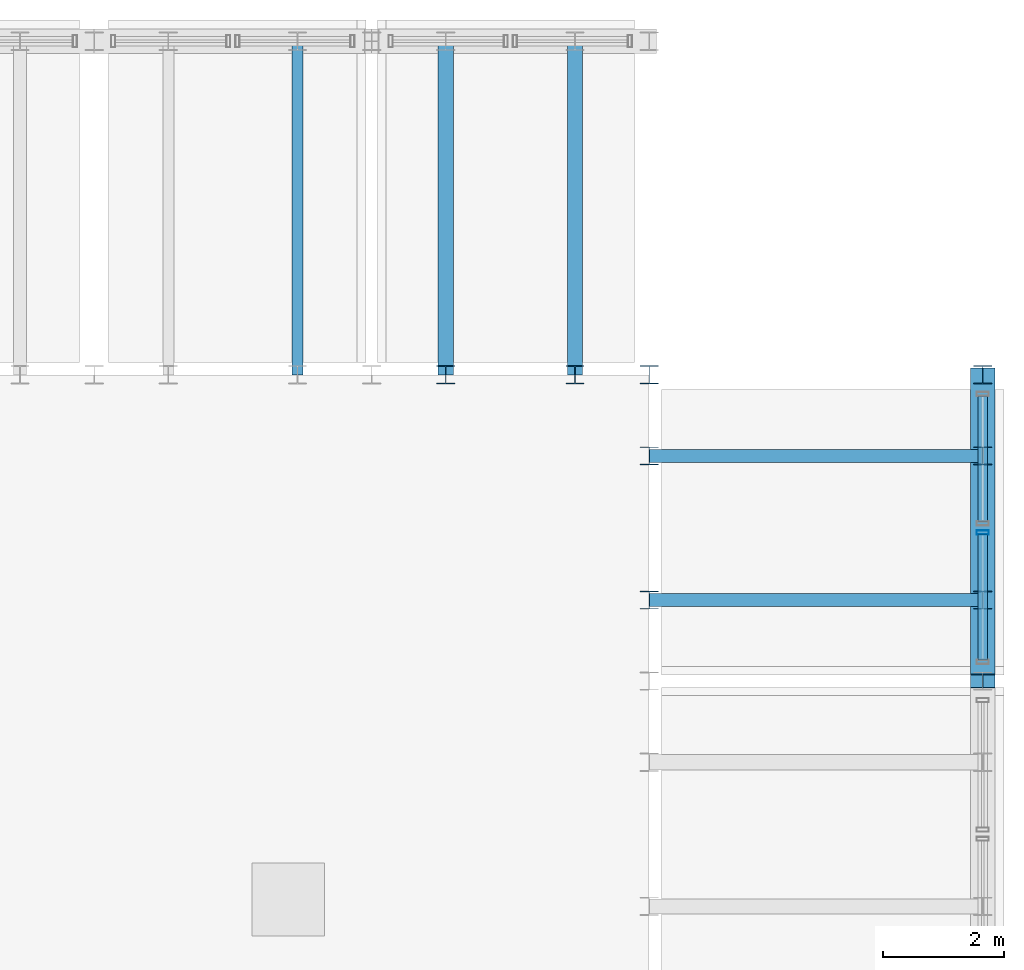
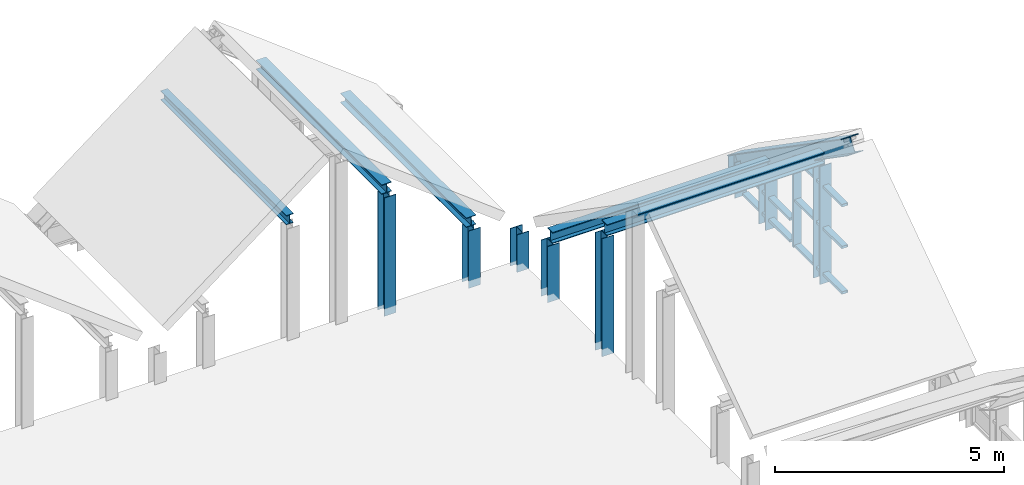
# One storey, part 10 of 21: 20 members, 2 elements without a shape of their own.
"""IFC4 building model written with IfcOpenShell, lengths in metres."""

from ifc_helpers import new_model, si_unit, direction, frame, origin, origin_2d, place, context, subcontext, project, spatial, hollow_rectangle, i_section, extrude, source, transform, mapped, material, layer, layer_set, material_profile, profile_set, type_object, element, aggregate, save


model = new_model("IFC4")

# Units and contexts
model_context = context("Model", 3, precision=1e-05, world=origin(), true_north=direction((0.0, 1.0)))
body_context = subcontext(model_context, "Body", "Model", "MODEL_VIEW")
ifc_project = project(units=[si_unit("LENGTHUNIT", "METRE"), si_unit("AREAUNIT", "SQUARE_METRE"), si_unit("VOLUMEUNIT", "CUBIC_METRE"), si_unit("PLANEANGLEUNIT", "RADIAN"), si_unit("MASSUNIT", "GRAM", prefix="KILO")], contexts=[model_context])

# Site, building, storey
site_placement = place(None, origin())
site = spatial("IfcSite", under=ifc_project, at=site_placement, CompositionType="ELEMENT")
building_placement = place(site_placement, origin())
building = spatial("IfcBuilding", under=site, at=building_placement, Name="Saelheon Loggia Tower", CompositionType="ELEMENT")
storey_placement = place(building_placement, frame((0.0, 0.0, 275.0)))
storey = spatial("IfcBuildingStorey", under=building, at=storey_placement, Name="ROOF", CompositionType="ELEMENT", Elevation=275.0)

# Members
ifc_material_1 = material(Name="Steel SM355", Category="steel")
ifc_material_profile_1 = material_profile(ifc_material_1, i_section(OverallWidth=0.300048828125, OverallDepth=0.300048828125, WebThickness=0.010009765625, FlangeThickness=0.014892578125, at=origin_2d()), Name="H-300x300x10x15")
ifc_profile_set_1 = profile_set([ifc_material_profile_1], Name="Steel SM355")
member_type_1 = type_object("IfcMemberType", Name="WaveCrest_Post_H300", PredefinedType="POST", material=ifc_profile_set_1)
shared_shape_1 = source(origin(), body_context, "Body", "SweptSolid", [
    extrude(i_section(OverallWidth=0.300048828125, OverallDepth=0.300048828125, WebThickness=0.010009765625, FlangeThickness=0.014892578125, at=origin_2d()), origin(), (0.0, 0.0, 1.0), 0.949951171875),
])
member_1_placement = place(storey_placement, frame((52.64990234375, 42.14990234375, -0.14990234375), z_axis=(0.0, 0.0, 1.0), x_axis=(1.0, 0.0, 0.0)))
element("IfcMember", 1, at=member_1_placement, inside=storey, type_object=member_type_1, Name="ROOF Wave Crest Outer Post E 06", PredefinedType="POST", context=body_context, shape_type="MappedRepresentation", body=[
    mapped(shared_shape_1, transform((0.0, 0.0, 0.0), scale=1.0)),
])
ifc_material_profile_2 = material_profile(ifc_material_1, i_section(OverallWidth=0.300048828125, OverallDepth=0.300048828125, WebThickness=0.010009765625, FlangeThickness=0.014892578125, at=origin_2d()), Name="H-300x300x10x15")
ifc_profile_set_2 = profile_set([ifc_material_profile_2], Name="Steel SM355")
member_type_2 = type_object("IfcMemberType", Name="Belt_Post_H300", PredefinedType="POST", material=ifc_profile_set_2)
shared_shape_2 = source(origin(), body_context, "Body", "SweptSolid", [
    extrude(i_section(OverallWidth=0.300048828125, OverallDepth=0.300048828125, WebThickness=0.010009765625, FlangeThickness=0.014892578125, at=origin_2d()), origin(), (0.0, 0.0, 1.0), 1.0),
])
member_2_placement = place(storey_placement, frame((47.14990234375, 42.14990234375, -0.199951171875), z_axis=(0.0, 0.0, 1.0), x_axis=(1.0, 0.0, 0.0)))
element("IfcMember", 2, at=member_2_placement, inside=storey, type_object=member_type_2, Name="ROOF Wave Crest Inner Post E 06", PredefinedType="POST", context=body_context, shape_type="MappedRepresentation", body=[
    mapped(shared_shape_2, transform((0.0, 0.0, 0.0), scale=1.0)),
])
ifc_material_profile_3 = material_profile(ifc_material_1, i_section(OverallWidth=0.179931640625, OverallDepth=0.25, WebThickness=0.010009765625, FlangeThickness=0.01611328125, at=origin_2d()), Name="H-250x180x10x16")
ifc_profile_set_3 = profile_set([ifc_material_profile_3], Name="Steel SM355")
member_type_3 = type_object("IfcMemberType", Name="Roof_Purlin_RHS250", PredefinedType="PURLIN", material=ifc_profile_set_3)
shared_shape_3 = source(origin(), body_context, "Body", "SweptSolid", [
    extrude(i_section(OverallWidth=0.179931640625, OverallDepth=0.25, WebThickness=0.010009765625, FlangeThickness=0.01611328125, at=origin_2d()), origin(), (0.0, 0.0, 1.0), 5.5),
])
member_3_placement = place(storey_placement, frame((41.352294921875, 47.64990234375, 3.110595703125), z_axis=(0.0, -1.0, 0.0), x_axis=(1.0, 0.0, 0.0)))
element("IfcMember", 3, at=member_3_placement, inside=storey, type_object=member_type_3, Name="Crown Wave Roof Purlin 19 B", PredefinedType="PURLIN", context=body_context, shape_type="MappedRepresentation", body=[
    mapped(shared_shape_3, transform((0.0, 0.0, 0.0), scale=1.0)),
])
ifc_material_profile_4 = material_profile(ifc_material_1, i_section(OverallWidth=0.25, OverallDepth=0.25, WebThickness=0.009033203125, FlangeThickness=0.013916015625, at=origin_2d()), Name="H-250x250x9x14")
ifc_profile_set_4 = profile_set([ifc_material_profile_4], Name="Steel SM355")
member_type_4 = type_object("IfcMemberType", Name="Roof_Purlin_H250", PredefinedType="PURLIN", material=ifc_profile_set_4)
shared_shape_4 = source(origin(), body_context, "Body", "SweptSolid", [
    extrude(i_section(OverallWidth=0.25, OverallDepth=0.25, WebThickness=0.009033203125, FlangeThickness=0.013916015625, at=origin_2d()), origin(), (0.0, 0.0, 1.0), 5.5),
])
for number, where, z_axis, x_axis, name in (
    (4, (43.7978515625, 47.64990234375, 3.083740234375), (0.0, -1.0, 0.0), (1.0, 0.0, 0.0), "Crown Wave Roof Purlin 20 A"),
    (5, (45.92724609375, 47.64990234375, 1.45458984375), (0.0, -1.0, 0.0), (1.0, 0.0, 0.0), "Crown Wave Roof Purlin 20 B"),
):
    element("IfcMember", number, at=place(storey_placement, frame(where, z_axis=z_axis, x_axis=x_axis)), inside=storey, type_object=member_type_4, Name=name, PredefinedType="PURLIN", context=body_context, shape_type="MappedRepresentation", body=[
        mapped(shared_shape_4, transform((0.0, 0.0, 0.0), scale=1.0)),
    ])
ifc_material_profile_5 = material_profile(ifc_material_1, i_section(OverallWidth=0.219970703125, OverallDepth=0.300048828125, WebThickness=0.011962890625, FlangeThickness=0.02001953125, at=origin_2d()), Name="H-300x220x12x20")
ifc_profile_set_5 = profile_set([ifc_material_profile_5], Name="Steel SM355")
member_type_5 = type_object("IfcMemberType", Name="Roof_Purlin_RHS300", PredefinedType="PURLIN", material=ifc_profile_set_5)
shared_shape_5 = source(origin(), body_context, "Body", "SweptSolid", [
    extrude(i_section(OverallWidth=0.219970703125, OverallDepth=0.300048828125, WebThickness=0.011962890625, FlangeThickness=0.02001953125, at=origin_2d()), origin(), (0.0, 0.0, 1.0), 5.5),
])
for number, where, z_axis, x_axis, name in (
    (6, (52.64990234375, 38.436767578125, 3.097412109375), (-1.0, 0.0, 0.0), (0.0, -1.0, 0.0), "Crown Wave Roof Purlin 12 A"),
    (7, (52.64990234375, 40.813232421875, 1.4501953125), (-1.0, 0.0, 0.0), (0.0, -1.0, 0.0), "Crown Wave Roof Purlin 12 B"),
):
    element("IfcMember", number, at=place(storey_placement, frame(where, z_axis=z_axis, x_axis=x_axis)), inside=storey, type_object=member_type_5, Name=name, PredefinedType="PURLIN", context=body_context, shape_type="MappedRepresentation", body=[
        mapped(shared_shape_5, transform((0.0, 0.0, 0.0), scale=1.0)),
    ])
shared_shape_6 = source(origin(), body_context, "Body", "SweptSolid", [
    extrude(i_section(OverallWidth=0.300048828125, OverallDepth=0.300048828125, WebThickness=0.010009765625, FlangeThickness=0.014892578125, at=origin_2d()), origin(), (0.0, 0.0, 1.0), 1.500244140625),
])
for number, where, z_axis, x_axis, name in (
    (8, (52.64990234375, 40.813232421875, -0.199951171875), (0.0, 0.0, 1.0), (1.0, 0.0, 0.0), "Crown Wave Roof Purlin Support Post 12 B O"),
    (9, (47.14990234375, 40.813232421875, -0.199951171875), (0.0, 0.0, 1.0), (1.0, 0.0, 0.0), "Crown Wave Roof Purlin Support Post 12 B I"),
):
    element("IfcMember", number, at=place(storey_placement, frame(where, z_axis=z_axis, x_axis=x_axis)), inside=storey, type_object=member_type_2, Name=name, PredefinedType="POST", context=body_context, shape_type="MappedRepresentation", body=[
        mapped(shared_shape_6, transform((0.0, 0.0, 0.0), scale=1.0)),
    ])
shared_shape_7 = source(origin(), body_context, "Body", "SweptSolid", [
    extrude(i_section(OverallWidth=0.300048828125, OverallDepth=0.300048828125, WebThickness=0.010009765625, FlangeThickness=0.014892578125, at=origin_2d()), origin(), (0.0, 0.0, 1.0), 3.147216796875),
])
for number, where, z_axis, x_axis, name in (
    (10, (52.64990234375, 38.436767578125, -0.199951171875), (0.0, 0.0, 1.0), (1.0, 0.0, 0.0), "Crown Wave Roof Purlin Support Post 12 A O"),
    (11, (47.14990234375, 38.436767578125, -0.199951171875), (0.0, 0.0, 1.0), (1.0, 0.0, 0.0), "Crown Wave Roof Purlin Support Post 12 A I"),
):
    element("IfcMember", number, at=place(storey_placement, frame(where, z_axis=z_axis, x_axis=x_axis)), inside=storey, type_object=member_type_2, Name=name, PredefinedType="POST", context=body_context, shape_type="MappedRepresentation", body=[
        mapped(shared_shape_7, transform((0.0, 0.0, 0.0), scale=1.0)),
    ])
shared_shape_8 = source(origin(), body_context, "Body", "SweptSolid", [
    extrude(i_section(OverallWidth=0.300048828125, OverallDepth=0.300048828125, WebThickness=0.010009765625, FlangeThickness=0.014892578125, at=origin_2d()), origin(), (0.0, 0.0, 1.0), 3.15869140625),
])
member_4_placement = place(storey_placement, frame((43.7978515625, 42.14990234375, -0.199951171875), z_axis=(0.0, 0.0, 1.0), x_axis=(1.0, 0.0, 0.0)))
element("IfcMember", 12, at=member_4_placement, inside=storey, type_object=member_type_2, Name="Crown Wave Roof Purlin Support Post 20 A I", PredefinedType="POST", context=body_context, shape_type="MappedRepresentation", body=[
    mapped(shared_shape_8, transform((0.0, 0.0, 0.0), scale=1.0)),
])
shared_shape_9 = source(origin(), body_context, "Body", "SweptSolid", [
    extrude(i_section(OverallWidth=0.300048828125, OverallDepth=0.300048828125, WebThickness=0.010009765625, FlangeThickness=0.014892578125, at=origin_2d()), origin(), (0.0, 0.0, 1.0), 1.529541015625),
])
member_5_placement = place(storey_placement, frame((45.92724609375, 42.14990234375, -0.199951171875), z_axis=(0.0, 0.0, 1.0), x_axis=(1.0, 0.0, 0.0)))
element("IfcMember", 13, at=member_5_placement, inside=storey, type_object=member_type_2, Name="Crown Wave Roof Purlin Support Post 20 B I", PredefinedType="POST", context=body_context, shape_type="MappedRepresentation", body=[
    mapped(shared_shape_9, transform((0.0, 0.0, 0.0), scale=1.0)),
])
ifc_material_profile_6 = material_profile(ifc_material_1, i_section(OverallWidth=0.39990234375, OverallDepth=0.39990234375, WebThickness=0.012939453125, FlangeThickness=0.02099609375, at=origin_2d()), Name="H-400x400x13x21")
ifc_profile_set_6 = profile_set([ifc_material_profile_6], Name="Steel SM355")
member_type_6 = type_object("IfcMemberType", Name="CrownFrame_Brace_H400", PredefinedType="BRACE", material=ifc_profile_set_6)
shared_shape_10 = source(origin(), body_context, "Body", "SweptSolid", [
    extrude(i_section(OverallWidth=0.39990234375, OverallDepth=0.39990234375, WebThickness=0.012939453125, FlangeThickness=0.02099609375, at=origin_2d()), origin(), (0.0, 0.0, 1.0), 6.14404296875),
])
member_6_placement = place(storey_placement, frame((52.64990234375, 37.10009765625, 4.199951171875), z_axis=(0.0, 0.821888813717, -0.569647942054), x_axis=(-1.0, 0.0, 0.0)))
element("IfcMember", 14, at=member_6_placement, inside=storey, type_object=member_type_6, Name="ROOF CROWN FRAME Wave Crest Cap E 06", PredefinedType="BRACE", context=body_context, shape_type="MappedRepresentation", body=[
    mapped(shared_shape_10, transform((0.0, 0.0, 0.0), scale=1.0)),
])

# Curtain wall, members
ifc_material_2 = material(Name="Bronze-Anodised Aluminium and Fritted Ceramic Screen", Category="aluminium")
ifc_layer = layer(ifc_material_2, 0.219970703125)
ifc_layer_set = layer_set([ifc_layer], Name="Bronze-Anodised Aluminium and Fritted Ceramic Screen")
curtain_wall_type = type_object("IfcCurtainWallType", Name="CW_CrownScreen", PredefinedType="NOTDEFINED", material=ifc_layer_set)
curtain_wall_1_placement = place(storey_placement, origin())
curtain_wall_1 = element("IfcCurtainWall", 15, at=curtain_wall_1_placement, inside=storey, type_object=curtain_wall_type, Name="ROOF Wave Crest Curtain Wall E 06-1", PredefinedType="NOTDEFINED")
ifc_material_3 = material(Name="Bronze-Anodised Aluminium 6063-T6", Category="aluminium")
ifc_material_profile_7 = material_profile(ifc_material_3, hollow_rectangle(XDim=0.070068359375, YDim=0.14990234375, WallThickness=0.0048828125, at=origin_2d()), Name="RHS-150x70x5")
ifc_profile_set_7 = profile_set([ifc_material_profile_7], Name="Bronze-Anodised Aluminium 6063-T6")
member_type_7 = type_object("IfcMemberType", Name="CW_CrownScreen_Transom", PredefinedType="USERDEFINED", material=ifc_profile_set_7)
shared_shape_11 = source(origin(), body_context, "Body", "SweptSolid", [
    extrude(hollow_rectangle(XDim=0.070068359375, YDim=0.14990234375, WallThickness=0.0048828125, at=origin_2d()), origin(), (0.0, 0.0, 1.0), 2.06494140625),
])
member_7_placement = place(storey_placement, frame((52.64990234375, 37.449951171875, 0.054931640625), z_axis=(0.0, 1.0, 0.0), x_axis=(0.0, 0.0, 1.0)))
member_7 = element("IfcMember", 16, at=member_7_placement, type_object=member_type_7, Name="CW6 transom 1.1", ObjectType="TRANSOM", PredefinedType="USERDEFINED", context=body_context, shape_type="MappedRepresentation", body=[
    mapped(shared_shape_11, transform((0.0, 0.0, 0.0), scale=1.0)),
])
member_8_placement = place(storey_placement, frame((52.64990234375, 37.449951171875, 1.27001953125), z_axis=(0.0, 1.0, 0.0), x_axis=(0.0, 0.0, 1.0)))
member_8 = element("IfcMember", 17, at=member_8_placement, type_object=member_type_7, Name="CW6 transom 1.2", ObjectType="TRANSOM", PredefinedType="USERDEFINED", context=body_context, shape_type="MappedRepresentation", body=[
    mapped(shared_shape_11, transform((0.0, 0.0, 0.0), scale=1.0)),
])
member_9_placement = place(storey_placement, frame((52.64990234375, 37.449951171875, 2.385009765625), z_axis=(0.0, 1.0, 0.0), x_axis=(0.0, 0.0, 1.0)))
member_9 = element("IfcMember", 18, at=member_9_placement, type_object=member_type_7, Name="CW6 transom 1.3", ObjectType="TRANSOM", PredefinedType="USERDEFINED", context=body_context, shape_type="MappedRepresentation", body=[
    mapped(shared_shape_11, transform((0.0, 0.0, 0.0), scale=1.0)),
])

curtain_wall_2_placement = place(storey_placement, origin())
curtain_wall_2 = element("IfcCurtainWall", 19, at=curtain_wall_2_placement, inside=storey, type_object=curtain_wall_type, Name="ROOF Wave Crest Curtain Wall E 06-2", PredefinedType="NOTDEFINED")
member_10_placement = place(storey_placement, frame((52.64990234375, 39.735107421875, 0.054931640625), z_axis=(0.0, 1.0, 0.0), x_axis=(0.0, 0.0, 1.0)))
member_10 = element("IfcMember", 20, at=member_10_placement, type_object=member_type_7, Name="CW6 transom 1.1", ObjectType="TRANSOM", PredefinedType="USERDEFINED", context=body_context, shape_type="MappedRepresentation", body=[
    mapped(shared_shape_11, transform((0.0, 0.0, 0.0), scale=1.0)),
])
member_11_placement = place(storey_placement, frame((52.64990234375, 39.735107421875, 0.635009765625), z_axis=(0.0, 1.0, 0.0), x_axis=(0.0, 0.0, 1.0)))
member_11 = element("IfcMember", 21, at=member_11_placement, type_object=member_type_7, Name="CW6 transom 1.2", ObjectType="TRANSOM", PredefinedType="USERDEFINED", context=body_context, shape_type="MappedRepresentation", body=[
    mapped(shared_shape_11, transform((0.0, 0.0, 0.0), scale=1.0)),
])
aggregate(curtain_wall_2, [member_10, member_11])

# Member
ifc_material_profile_8 = material_profile(ifc_material_3, hollow_rectangle(XDim=0.070068359375, YDim=0.199951171875, WallThickness=0.0048828125, at=origin_2d()), Name="RHS-200x70x5")
ifc_profile_set_8 = profile_set([ifc_material_profile_8], Name="Bronze-Anodised Aluminium 6063-T6")
member_type_8 = type_object("IfcMemberType", Name="CW_CrownScreen_Mullion", PredefinedType="MULLION", material=ifc_profile_set_8)
shared_shape_12 = source(origin(), body_context, "Body", "SweptSolid", [
    extrude(hollow_rectangle(XDim=0.070068359375, YDim=0.199951171875, WallThickness=0.0048828125, at=origin_2d()), origin(), (0.0, 0.0, 1.0), 2.39990234375),
])
member_12_placement = place(storey_placement, frame((52.64990234375, 39.550048828125, 0.02001953125), z_axis=(0.0, 0.0, 1.0), x_axis=(0.0, 1.0, 0.0)))
member_12 = element("IfcMember", 22, at=member_12_placement, type_object=member_type_8, Name="CW6 mullion 2", PredefinedType="MULLION", context=body_context, shape_type="MappedRepresentation", body=[
    mapped(shared_shape_12, transform((0.0, 0.0, 0.0), scale=1.0)),
])

aggregate(curtain_wall_1, [member_12, member_7, member_8, member_9])

save(model, "model.ifc")
